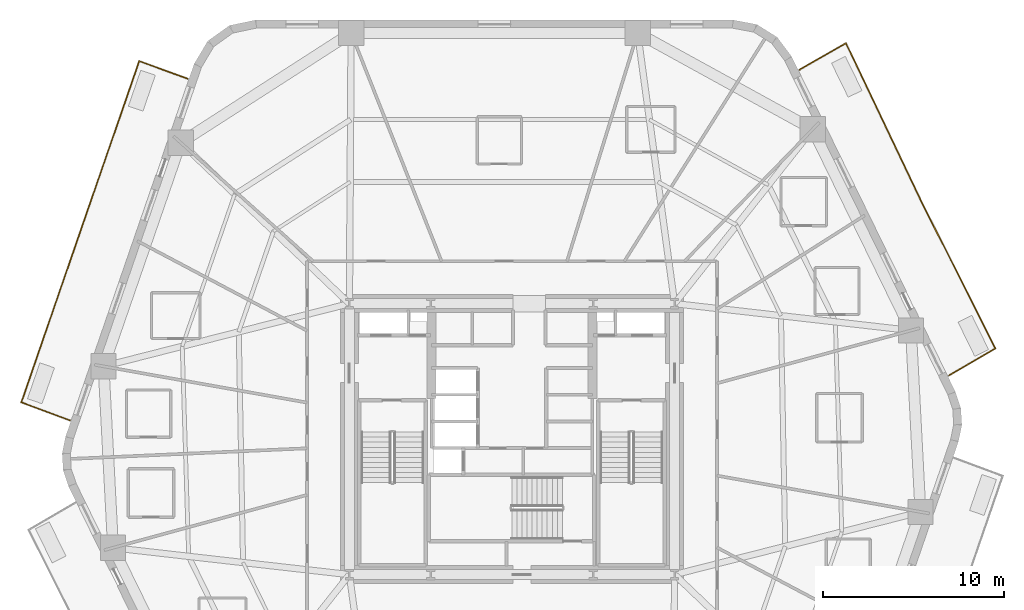
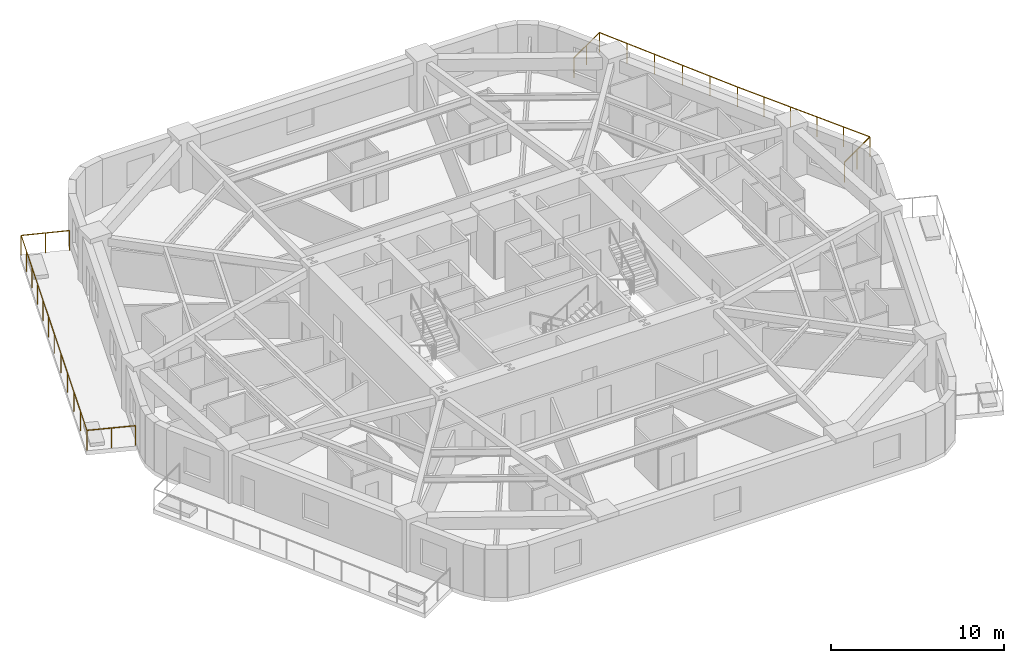
# One storey, part 10 of 10: 2 railings.
"""IFC4 building model written with IfcOpenShell, lengths in metres."""

from ifc_helpers import new_model, si_unit, direction, frame, origin, origin_2d, place, context, subcontext, project, spatial, rectangle, extrude, material, layer, layer_set, type_object, element, save


model = new_model("IFC4")

# Units and contexts
model_context = context("Model", 3, precision=1e-05, world=origin(), true_north=direction((0.0, 1.0)))
body_context = subcontext(model_context, "Body", "Model", "MODEL_VIEW")
ifc_project = project(units=[si_unit("LENGTHUNIT", "METRE"), si_unit("AREAUNIT", "SQUARE_METRE"), si_unit("VOLUMEUNIT", "CUBIC_METRE"), si_unit("PLANEANGLEUNIT", "RADIAN"), si_unit("MASSUNIT", "GRAM", prefix="KILO")], contexts=[model_context])

# Site, building, storey
site_placement = place(None, origin())
site = spatial("IfcSite", under=ifc_project, at=site_placement, CompositionType="ELEMENT")
building_placement = place(site_placement, origin())
building = spatial("IfcBuilding", under=site, at=building_placement, Name="Kilnhurst Terrace Hotel", CompositionType="ELEMENT")
storey_placement = place(building_placement, frame((0.0, 0.0, 82.300048828125)))
storey = spatial("IfcBuildingStorey", under=building, at=storey_placement, Name="L19", CompositionType="ELEMENT", Elevation=82.300048828125)

# Railings
ifc_material = material(Name="Laminated SentryGlas and Stainless Steel AISI 316L Balustrade", Category="steel")
ifc_layer = layer(ifc_material, 0.070068359375, Name="Laminated SentryGlas and Stainless Steel AISI 316L Balustrade")
ifc_layer_set = layer_set([ifc_layer], Name="Laminated SentryGlas and Stainless Steel AISI 316L Balustrade")
railing_type = type_object("IfcRailingType", Name="RLG-BAL-1420", PredefinedType="BALUSTRADE", material=ifc_layer_set)
railing_1_placement = place(storey_placement, frame((15.923095703125, 20.44873046875, 0.0)))
element("IfcRailing", 1, at=railing_1_placement, inside=storey, type_object=railing_type, Name="L19 Exterior Terrace Guardrail BAL-L1B.1", PredefinedType="BALUSTRADE", context=body_context, shape_type="SweptSolid", body=[
    extrude(rectangle(XDim=0.048095703125, YDim=0.048095703125, at=origin_2d()), frame((0.0, 0.0, 1.39599609375), z_axis=(0.86763656582, 0.497198943736, 0.0), x_axis=(-0.497198943736, 0.86763656582, 0.0)), (0.0, 0.0, 1.0), 2.95068359375),
    extrude(rectangle(XDim=0.048095703125, YDim=0.048095703125, at=origin_2d()), frame((2.56005859375, 1.467041015625, 1.39599609375), z_axis=(0.430147205624, -0.902758761516, 0.0), x_axis=(0.902758761516, 0.430147205624, 0.0)), (0.0, 0.0, 1.0), 9.67041015625),
    extrude(rectangle(XDim=0.048095703125, YDim=0.048095703125, at=origin_2d()), frame((6.7197265625, -7.262939453125, 1.39599609375), z_axis=(0.514495755428, -0.857492925713, 0.0), x_axis=(0.857492925713, 0.514495755428, 0.0)), (0.0, 0.0, 1.0), 0.00146484375),
    extrude(rectangle(XDim=0.048095703125, YDim=0.048095703125, at=origin_2d()), frame((6.720458984375, -7.26416015625, 1.39599609375), z_axis=(0.449648824937, -0.89320542667, 0.0), x_axis=(0.89320542667, 0.449648824937, 0.0)), (0.0, 0.0, 1.0), 9.136962890625),
    extrude(rectangle(XDim=0.048095703125, YDim=0.048095703125, at=origin_2d()), frame((10.828857421875, -15.42529296875, 1.39599609375), z_axis=(-0.863737120301, -0.503942642584, 0.0), x_axis=(0.503942642584, -0.863737120301, 0.0)), (0.0, 0.0, 1.0), 2.96728515625),
    extrude(rectangle(XDim=0.0419921875, YDim=0.0419921875, at=origin_2d()), origin(), (0.0, 0.0, 1.0), 1.371826171875),
    extrude(rectangle(XDim=0.0419921875, YDim=0.0419921875, at=origin_2d()), frame((1.280029296875, 0.7333984375, 0.0)), (0.0, 0.0, 1.0), 1.371826171875),
    extrude(rectangle(XDim=0.0419921875, YDim=0.0419921875, at=origin_2d()), frame((2.56005859375, 1.467041015625, 0.0)), (0.0, 0.0, 1.0), 1.371826171875),
    extrude(rectangle(XDim=0.0419921875, YDim=0.0419921875, at=origin_2d()), frame((3.39208984375, -0.279052734375, 0.0)), (0.0, 0.0, 1.0), 1.371826171875),
    extrude(rectangle(XDim=0.0419921875, YDim=0.0419921875, at=origin_2d()), frame((4.223876953125, -2.02490234375, 0.0)), (0.0, 0.0, 1.0), 1.371826171875),
    extrude(rectangle(XDim=0.0419921875, YDim=0.0419921875, at=origin_2d()), frame((5.055908203125, -3.77099609375, 0.0)), (0.0, 0.0, 1.0), 1.371826171875),
    extrude(rectangle(XDim=0.0419921875, YDim=0.0419921875, at=origin_2d()), frame((5.8876953125, -5.516845703125, 0.0)), (0.0, 0.0, 1.0), 1.371826171875),
    extrude(rectangle(XDim=0.0419921875, YDim=0.0419921875, at=origin_2d()), frame((6.7197265625, -7.262939453125, 0.0)), (0.0, 0.0, 1.0), 1.371826171875),
    extrude(rectangle(XDim=0.0419921875, YDim=0.0419921875, at=origin_2d()), frame((6.720458984375, -7.26416015625, 0.0)), (0.0, 0.0, 1.0), 1.371826171875),
    extrude(rectangle(XDim=0.0419921875, YDim=0.0419921875, at=origin_2d()), frame((7.542236328125, -8.896484375, 0.0)), (0.0, 0.0, 1.0), 1.371826171875),
    extrude(rectangle(XDim=0.0419921875, YDim=0.0419921875, at=origin_2d()), frame((8.36376953125, -10.528564453125, 0.0)), (0.0, 0.0, 1.0), 1.371826171875),
    extrude(rectangle(XDim=0.0419921875, YDim=0.0419921875, at=origin_2d()), frame((9.185546875, -12.160888671875, 0.0)), (0.0, 0.0, 1.0), 1.371826171875),
    extrude(rectangle(XDim=0.0419921875, YDim=0.0419921875, at=origin_2d()), frame((10.007080078125, -13.79296875, 0.0)), (0.0, 0.0, 1.0), 1.371826171875),
    extrude(rectangle(XDim=0.0419921875, YDim=0.0419921875, at=origin_2d()), frame((10.828857421875, -15.42529296875, 0.0)), (0.0, 0.0, 1.0), 1.371826171875),
    extrude(rectangle(XDim=0.0419921875, YDim=0.0419921875, at=origin_2d()), frame((9.54736328125, -16.1728515625, 0.0)), (0.0, 0.0, 1.0), 1.371826171875),
    extrude(rectangle(XDim=0.0419921875, YDim=0.0419921875, at=origin_2d()), frame((8.265869140625, -16.920654296875, 0.0)), (0.0, 0.0, 1.0), 1.371826171875),
])
railing_2_placement = place(storey_placement, frame((-24.485107421875, 1.041748046875, 0.0)))
element("IfcRailing", 2, at=railing_2_placement, inside=storey, type_object=railing_type, Name="L19 Exterior Terrace Guardrail BAL-L2A.1", PredefinedType="BALUSTRADE", context=body_context, shape_type="SweptSolid", body=[
    extrude(rectangle(XDim=0.048095703125, YDim=0.048095703125, at=origin_2d()), frame((0.0, 0.0, 1.39599609375), z_axis=(-0.937279097592, 0.348579823308, 0.0), x_axis=(-0.348579823308, -0.937279097592, 0.0)), (0.0, 0.0, 1.0), 2.85205078125),
    extrude(rectangle(XDim=0.048095703125, YDim=0.048095703125, at=origin_2d()), frame((-2.673095703125, 0.994140625, 1.39599609375), z_axis=(0.326159116329, 0.945314884488, 0.0), x_axis=(-0.945314884488, 0.326159116329, 0.0)), (0.0, 0.0, 1.0), 9.91650390625),
    extrude(rectangle(XDim=0.048095703125, YDim=0.048095703125, at=origin_2d()), frame((0.561279296875, 10.368408203125, 1.39599609375), z_axis=(0.326903959129, 0.945057565181, 0.0), x_axis=(-0.945057565181, 0.326903959129, 0.0)), (0.0, 0.0, 1.0), 10.065673828125),
    extrude(rectangle(XDim=0.048095703125, YDim=0.048095703125, at=origin_2d()), frame((3.851806640625, 19.881103515625, 1.39599609375), z_axis=(0.939926315563, -0.341377388402, 0.0), x_axis=(0.341377388402, 0.939926315563, 0.0)), (0.0, 0.0, 1.0), 2.84130859375),
    extrude(rectangle(XDim=0.0419921875, YDim=0.0419921875, at=origin_2d()), origin(), (0.0, 0.0, 1.0), 1.371826171875),
    extrude(rectangle(XDim=0.0419921875, YDim=0.0419921875, at=origin_2d()), frame((-1.33642578125, 0.4970703125, 0.0)), (0.0, 0.0, 1.0), 1.371826171875),
    extrude(rectangle(XDim=0.0419921875, YDim=0.0419921875, at=origin_2d()), frame((-2.673095703125, 0.994140625, 0.0)), (0.0, 0.0, 1.0), 1.371826171875),
    extrude(rectangle(XDim=0.0419921875, YDim=0.0419921875, at=origin_2d()), frame((-2.026123046875, 2.868896484375, 0.0)), (0.0, 0.0, 1.0), 1.371826171875),
    extrude(rectangle(XDim=0.0419921875, YDim=0.0419921875, at=origin_2d()), frame((-1.37939453125, 4.743896484375, 0.0)), (0.0, 0.0, 1.0), 1.371826171875),
    extrude(rectangle(XDim=0.0419921875, YDim=0.0419921875, at=origin_2d()), frame((-0.732421875, 6.61865234375, 0.0)), (0.0, 0.0, 1.0), 1.371826171875),
    extrude(rectangle(XDim=0.0419921875, YDim=0.0419921875, at=origin_2d()), frame((-0.085693359375, 8.49365234375, 0.0)), (0.0, 0.0, 1.0), 1.371826171875),
    extrude(rectangle(XDim=0.0419921875, YDim=0.0419921875, at=origin_2d()), frame((0.561279296875, 10.368408203125, 0.0)), (0.0, 0.0, 1.0), 1.371826171875),
    extrude(rectangle(XDim=0.0419921875, YDim=0.0419921875, at=origin_2d()), frame((1.109619140625, 11.953857421875, 0.0)), (0.0, 0.0, 1.0), 1.371826171875),
    extrude(rectangle(XDim=0.0419921875, YDim=0.0419921875, at=origin_2d()), frame((1.658203125, 13.539306640625, 0.0)), (0.0, 0.0, 1.0), 1.371826171875),
    extrude(rectangle(XDim=0.0419921875, YDim=0.0419921875, at=origin_2d()), frame((2.20654296875, 15.124755859375, 0.0)), (0.0, 0.0, 1.0), 1.371826171875),
    extrude(rectangle(XDim=0.0419921875, YDim=0.0419921875, at=origin_2d()), frame((2.7548828125, 16.710205078125, 0.0)), (0.0, 0.0, 1.0), 1.371826171875),
    extrude(rectangle(XDim=0.0419921875, YDim=0.0419921875, at=origin_2d()), frame((3.303466796875, 18.295654296875, 0.0)), (0.0, 0.0, 1.0), 1.371826171875),
    extrude(rectangle(XDim=0.0419921875, YDim=0.0419921875, at=origin_2d()), frame((3.851806640625, 19.881103515625, 0.0)), (0.0, 0.0, 1.0), 1.371826171875),
    extrude(rectangle(XDim=0.0419921875, YDim=0.0419921875, at=origin_2d()), frame((5.18701171875, 19.39599609375, 0.0)), (0.0, 0.0, 1.0), 1.371826171875),
    extrude(rectangle(XDim=0.0419921875, YDim=0.0419921875, at=origin_2d()), frame((6.5224609375, 18.9111328125, 0.0)), (0.0, 0.0, 1.0), 1.371826171875),
])

save(model, "model.ifc")
